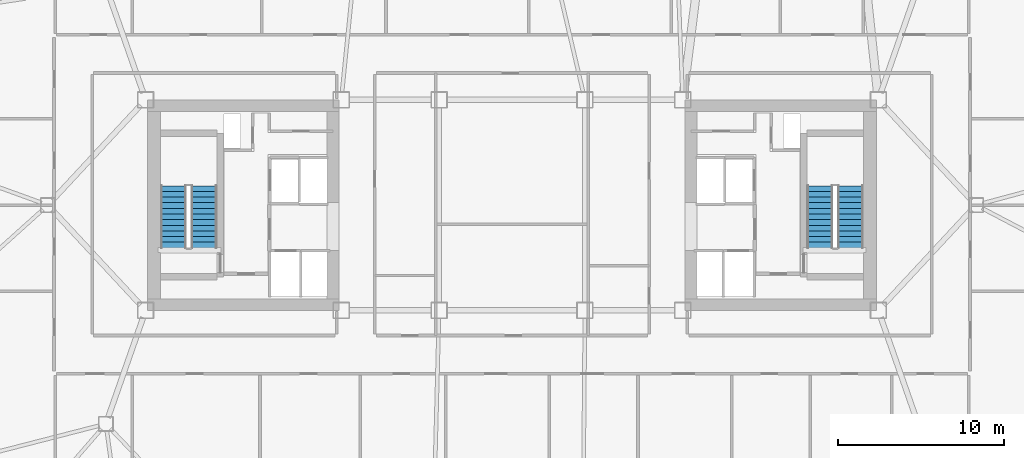
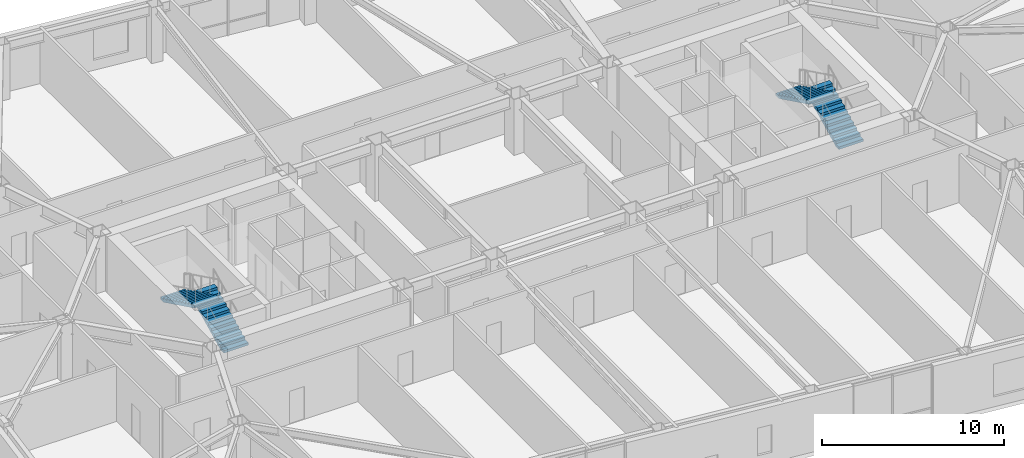
# One storey, part 17 of 22: 4 stair flights, 2 elements without a shape of their own.
"""IFC4 building model written with IfcOpenShell, lengths in metres."""

from ifc_helpers import new_model, si_unit, direction, frame, origin, place, context, subcontext, project, spatial, polyline, outline, extrude, material, type_object, element, aggregate, save


model = new_model("IFC4")

# Units and contexts
model_context = context("Model", 3, precision=1e-05, world=origin(), true_north=direction((0.0, 1.0)))
body_context = subcontext(model_context, "Body", "Model", "MODEL_VIEW")
ifc_project = project(units=[si_unit("LENGTHUNIT", "METRE"), si_unit("AREAUNIT", "SQUARE_METRE"), si_unit("VOLUMEUNIT", "CUBIC_METRE"), si_unit("PLANEANGLEUNIT", "RADIAN"), si_unit("MASSUNIT", "GRAM", prefix="KILO")], contexts=[model_context])

# Site, building, storey
site_placement = place(None, origin())
site = spatial("IfcSite", under=ifc_project, at=site_placement, CompositionType="ELEMENT")
building_placement = place(site_placement, origin())
building = spatial("IfcBuilding", under=site, at=building_placement, Name="Tavrogorsk Clinical Tower", CompositionType="ELEMENT")
storey_placement = place(building_placement, frame((0.0, 0.0, 117.39990234375)))
storey = spatial("IfcBuildingStorey", under=building, at=storey_placement, Name="L26", CompositionType="ELEMENT", Elevation=117.39990234375)

# Stair, stair flights
ifc_material_1 = material(Name="Concrete B60", Category="concrete")
stair_type = type_object("IfcStairType", Name="CoreStairAssembly", PredefinedType="HALF_TURN_STAIR", material=ifc_material_1)
stair_1_placement = place(storey_placement, origin())
stair_1 = element("IfcStair", 1, at=stair_1_placement, inside=storey, type_object=stair_type, Name="L26 ST-W", PredefinedType="HALF_TURN_STAIR")
ifc_material_2 = material(Name="Concrete B60", Category="concrete")
stair_flight_type = type_object("IfcStairFlightType", Name="CoreStairFlight", PredefinedType="STRAIGHT", material=ifc_material_2)
stair_flight_1_placement = place(storey_placement, frame((-18.574951171875, -2.574951171875, 0.0), z_axis=(0.0, 0.0, 1.0), x_axis=(0.0, 1.0, 0.0)))
stair_flight_1 = element("IfcStairFlight", 2, at=stair_flight_1_placement, type_object=stair_flight_type, Name="ST-W flight 1", NumberOfRisers=12, NumberOfTreads=11, PredefinedType="STRAIGHT", RiserHeight=0.166666667, TreadLength=0.34, context=body_context, shape_type="SweptSolid", body=[
    extrude(outline(polyline([(0.0, 0.0), (0.0, 0.166748046875), (0.340087890625, 0.166748046875), (0.340087890625, 0.333251953125), (0.679931640625, 0.333251953125), (0.679931640625, 0.5), (1.02001953125, 0.5), (1.02001953125, 0.666748046875), (1.360107421875, 0.666748046875), (1.360107421875, 0.833251953125), (1.699951171875, 0.833251953125), (1.699951171875, 1.0), (2.0400390625, 1.0), (2.0400390625, 1.166748046875), (2.3798828125, 1.166748046875), (2.3798828125, 1.333251953125), (2.719970703125, 1.333251953125), (2.719970703125, 1.5), (3.06005859375, 1.5), (3.06005859375, 1.666748046875), (3.39990234375, 1.666748046875), (3.39990234375, 1.833251953125), (3.739990234375, 1.833251953125), (3.739990234375, 2.0), (3.739990234375, 1.66650390625), (0.340576171875, 0.0), (0.0, 0.0)])), frame((0.0, 0.77490234375, 0.0), z_axis=(0.0, -1.0, 0.0), x_axis=(1.0, 0.0, 0.0)), (0.0, 0.0, 1.0), 1.550048828125),
])
stair_flight_2_placement = place(storey_placement, frame((-20.425048828125, 1.1650390625, 2.0), z_axis=(0.0, 0.0, 1.0), x_axis=(0.0, -1.0, 0.0)))
stair_flight_2 = element("IfcStairFlight", 3, at=stair_flight_2_placement, type_object=stair_flight_type, Name="ST-W flight 2", NumberOfRisers=12, NumberOfTreads=11, PredefinedType="STRAIGHT", RiserHeight=0.166666667, TreadLength=0.34, context=body_context, shape_type="SweptSolid", body=[
    extrude(outline(polyline([(0.0, 0.0), (0.0, 0.166748046875), (0.340087890625, 0.166748046875), (0.340087890625, 0.333251953125), (0.679931640625, 0.333251953125), (0.679931640625, 0.5), (1.02001953125, 0.5), (1.02001953125, 0.666748046875), (1.360107421875, 0.666748046875), (1.360107421875, 0.833251953125), (1.699951171875, 0.833251953125), (1.699951171875, 1.0), (2.0400390625, 1.0), (2.0400390625, 1.166748046875), (2.3798828125, 1.166748046875), (2.3798828125, 1.333251953125), (2.719970703125, 1.333251953125), (2.719970703125, 1.5), (3.06005859375, 1.5), (3.06005859375, 1.666748046875), (3.39990234375, 1.666748046875), (3.39990234375, 1.833251953125), (3.739990234375, 1.833251953125), (3.739990234375, 2.0), (3.739990234375, 1.66650390625), (0.340576171875, 0.0), (0.0, 0.0)])), frame((0.0, 0.77490234375, 0.0), z_axis=(0.0, -1.0, 0.0), x_axis=(1.0, 0.0, 0.0)), (0.0, 0.0, 1.0), 1.550048828125),
])
aggregate(stair_1, [stair_flight_1, stair_flight_2])

stair_2_placement = place(storey_placement, origin())
stair_2 = element("IfcStair", 4, at=stair_2_placement, inside=storey, type_object=stair_type, Name="L26 ST-E", PredefinedType="HALF_TURN_STAIR")
stair_flight_3_placement = place(storey_placement, frame((20.425048828125, -2.574951171875, 0.0), z_axis=(0.0, 0.0, 1.0), x_axis=(0.0, 1.0, 0.0)))
stair_flight_3 = element("IfcStairFlight", 5, at=stair_flight_3_placement, type_object=stair_flight_type, Name="ST-E flight 1", NumberOfRisers=12, NumberOfTreads=11, PredefinedType="STRAIGHT", RiserHeight=0.166666667, TreadLength=0.34, context=body_context, shape_type="SweptSolid", body=[
    extrude(outline(polyline([(0.0, 0.0), (0.0, 0.166748046875), (0.340087890625, 0.166748046875), (0.340087890625, 0.333251953125), (0.679931640625, 0.333251953125), (0.679931640625, 0.5), (1.02001953125, 0.5), (1.02001953125, 0.666748046875), (1.360107421875, 0.666748046875), (1.360107421875, 0.833251953125), (1.699951171875, 0.833251953125), (1.699951171875, 1.0), (2.0400390625, 1.0), (2.0400390625, 1.166748046875), (2.3798828125, 1.166748046875), (2.3798828125, 1.333251953125), (2.719970703125, 1.333251953125), (2.719970703125, 1.5), (3.06005859375, 1.5), (3.06005859375, 1.666748046875), (3.39990234375, 1.666748046875), (3.39990234375, 1.833251953125), (3.739990234375, 1.833251953125), (3.739990234375, 2.0), (3.739990234375, 1.66650390625), (0.340576171875, 0.0), (0.0, 0.0)])), frame((0.0, 0.77490234375, 0.0), z_axis=(0.0, -1.0, 0.0), x_axis=(1.0, 0.0, 0.0)), (0.0, 0.0, 1.0), 1.550048828125),
])
stair_flight_4_placement = place(storey_placement, frame((18.574951171875, 1.1650390625, 2.0), z_axis=(0.0, 0.0, 1.0), x_axis=(0.0, -1.0, 0.0)))
stair_flight_4 = element("IfcStairFlight", 6, at=stair_flight_4_placement, type_object=stair_flight_type, Name="ST-E flight 2", NumberOfRisers=12, NumberOfTreads=11, PredefinedType="STRAIGHT", RiserHeight=0.166666667, TreadLength=0.34, context=body_context, shape_type="SweptSolid", body=[
    extrude(outline(polyline([(0.0, 0.0), (0.0, 0.166748046875), (0.340087890625, 0.166748046875), (0.340087890625, 0.333251953125), (0.679931640625, 0.333251953125), (0.679931640625, 0.5), (1.02001953125, 0.5), (1.02001953125, 0.666748046875), (1.360107421875, 0.666748046875), (1.360107421875, 0.833251953125), (1.699951171875, 0.833251953125), (1.699951171875, 1.0), (2.0400390625, 1.0), (2.0400390625, 1.166748046875), (2.3798828125, 1.166748046875), (2.3798828125, 1.333251953125), (2.719970703125, 1.333251953125), (2.719970703125, 1.5), (3.06005859375, 1.5), (3.06005859375, 1.666748046875), (3.39990234375, 1.666748046875), (3.39990234375, 1.833251953125), (3.739990234375, 1.833251953125), (3.739990234375, 2.0), (3.739990234375, 1.66650390625), (0.340576171875, 0.0), (0.0, 0.0)])), frame((0.0, 0.77490234375, 0.0), z_axis=(0.0, -1.0, 0.0), x_axis=(1.0, 0.0, 0.0)), (0.0, 0.0, 1.0), 1.550048828125),
])
aggregate(stair_2, [stair_flight_3, stair_flight_4])

save(model, "model.ifc")
